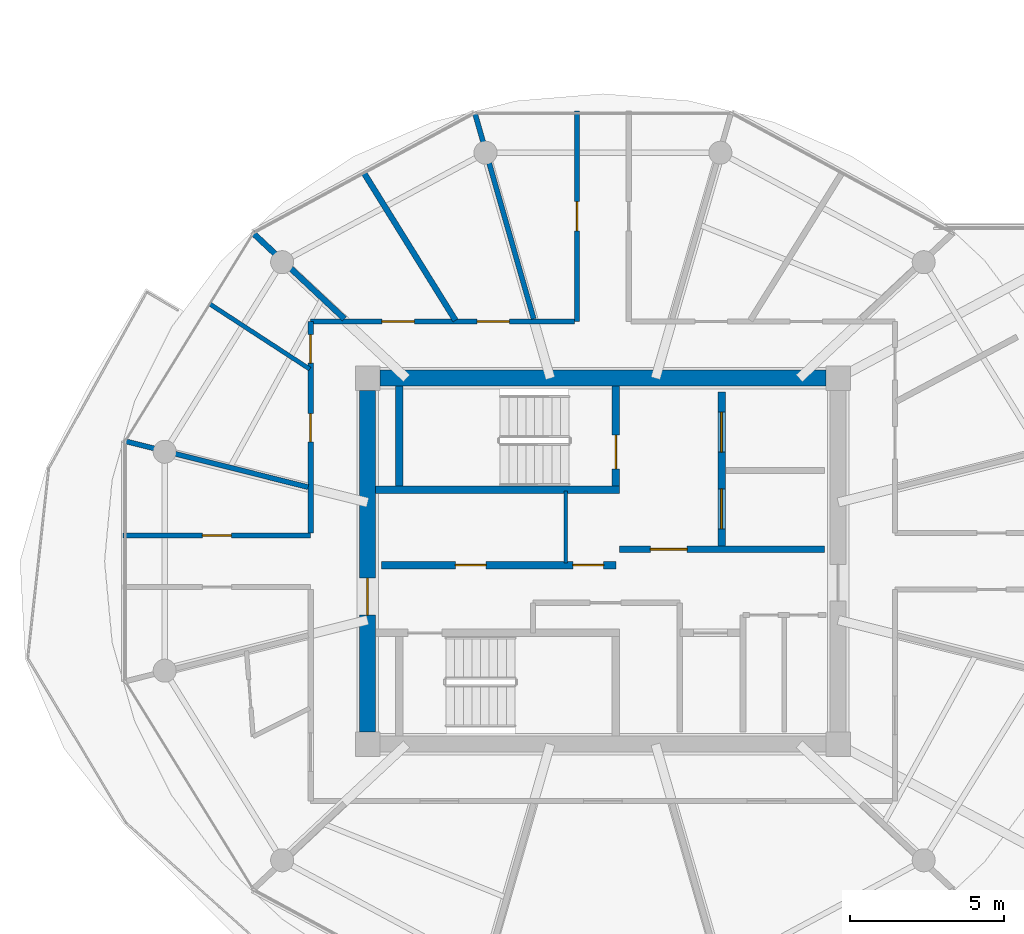
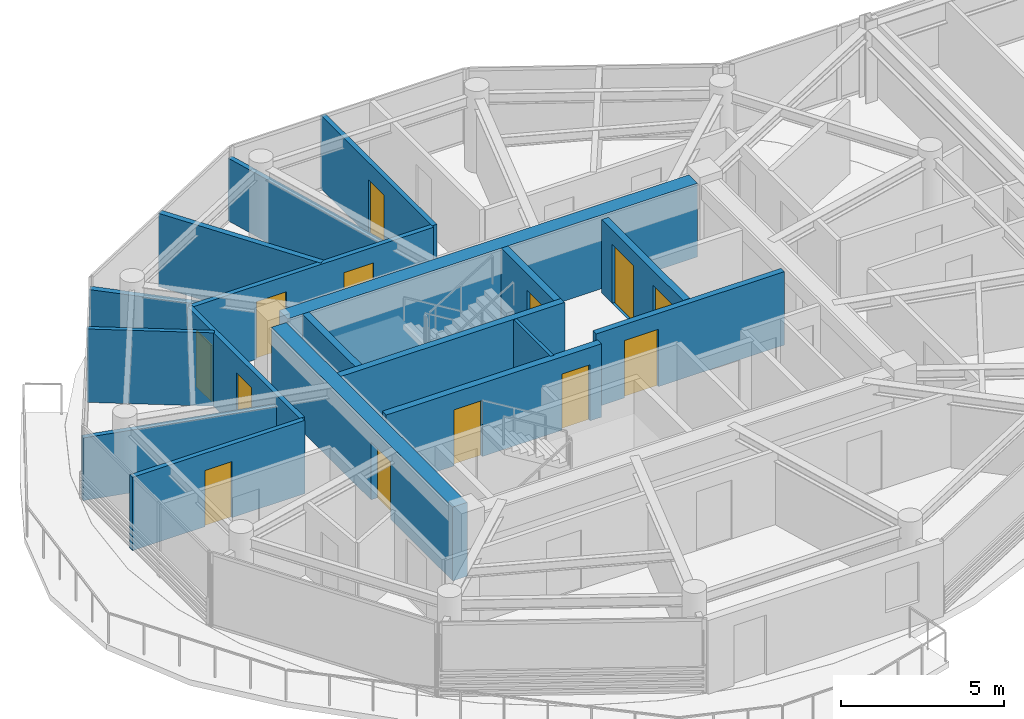
# One storey, part 14 of 24: 18 walls, 13 doors, 13 openings.
"""IFC4 building model written with IfcOpenShell, lengths in metres."""

import ifcopenshell
import ifcopenshell.guid

model = None  # the IFC model being written
_history = None  # IfcOwnerHistory: only IFC2X3 demands one
_inside = {}  # id of a spatial element -> (the spatial element, [elements in it])
_under = {}  # id of a project, library or spatial element -> (it, [spatial elements below it])
_declared = {}  # id of a project -> (the project, [libraries it declares])
_typed = {}  # id of a type object -> (the type object, [elements of that type])
_made_of = {}  # id of a material, layer set ... -> (it, [elements and type objects made of it])


def new_model(schema):
    """Start an empty IFC model of exactly this schema.

    Asked for "IFC4X3", IfcOpenShell would pick the latest addendum, in which some entities
    have other attributes; the version numbers below select the first issue.
    IFC2X3 requires an IfcOwnerHistory on every rooted entity: one is made here for all.
    """
    global model, _history
    if schema == "IFC4X3":
        model = ifcopenshell.file(schema_version=(4, 3, 0, 0))
    else:
        model = ifcopenshell.file(schema=schema)
    _inside.clear()
    _under.clear()
    _declared.clear()
    _typed.clear()
    _made_of.clear()
    _history = None
    if model.schema == "IFC2X3":
        org = make("IfcOrganization", Name="unknown")
        user = make(
            "IfcPersonAndOrganization",
            ThePerson=make("IfcPerson", FamilyName="unknown"),
            TheOrganization=org,
        )
        app = make(
            "IfcApplication",
            ApplicationDeveloper=org,
            Version="unknown",
            ApplicationFullName="unknown",
            ApplicationIdentifier="unknown",
        )
        _history = make(
            "IfcOwnerHistory",
            OwningUser=user,
            OwningApplication=app,
            ChangeAction="ADDED",
            CreationDate=0,
        )
    return model


def make(cls, **values):
    """One entity of the class cls with the attributes given. An attribute that is None is left unset."""
    return model.create_entity(
        cls, **{name: value for name, value in values.items() if value is not None}
    )


def rooted(cls, **values):
    """An entity with a GlobalId (a new one), such as an element, a storey or a relation."""
    return make(cls, GlobalId=ifcopenshell.guid.new(), OwnerHistory=_history, **values)


def si_unit(unit_type, name, prefix=None):
    """IfcSIUnit, for example si_unit("LENGTHUNIT", "METRE", prefix="MILLI")."""
    return make("IfcSIUnit", UnitType=unit_type, Prefix=prefix, Name=name)


def assignment(units):
    """IfcUnitAssignment: the units of a project."""
    return None if units is None else make("IfcUnitAssignment", Units=units)


def point(xyz):
    """IfcCartesianPoint."""
    return None if xyz is None else make("IfcCartesianPoint", Coordinates=xyz)


def direction(xyz):
    """IfcDirection."""
    return None if xyz is None else make("IfcDirection", DirectionRatios=xyz)


def frame(location, z_axis=None, x_axis=None):
    """IfcAxis2Placement3D, a coordinate frame: its origin and axes. An axis left out is left unset."""
    return make(
        "IfcAxis2Placement3D",
        Location=point(location),
        Axis=direction(z_axis),
        RefDirection=direction(x_axis),
    )


def frame_2d(location, x_axis=None):
    """IfcAxis2Placement2D, a coordinate frame in the plane: its origin and x axis."""
    return make(
        "IfcAxis2Placement2D", Location=point(location), RefDirection=direction(x_axis)
    )


def origin():
    """The frame at (0, 0, 0) with its axes left unset."""
    return frame((0.0, 0.0, 0.0))


def place(relative_to, where):
    """IfcLocalPlacement: puts the frame where relative to a parent placement (None: the world)."""
    return make(
        "IfcLocalPlacement", PlacementRelTo=relative_to, RelativePlacement=where
    )


def context(
    kind, dimensions, precision=None, world=None, true_north=None, identifier=None
):
    """IfcGeometricRepresentationContext, for example the 3D "Model" context."""
    return make(
        "IfcGeometricRepresentationContext",
        ContextIdentifier=identifier,
        ContextType=kind,
        CoordinateSpaceDimension=dimensions,
        Precision=precision,
        WorldCoordinateSystem=world,
        TrueNorth=true_north,
    )


def subcontext(parent, identifier, kind, view, scale=None):
    """IfcGeometricRepresentationSubContext, for example "Body" below "Model"."""
    return make(
        "IfcGeometricRepresentationSubContext",
        ContextIdentifier=identifier,
        ContextType=kind,
        ParentContext=parent,
        TargetScale=scale,
        TargetView=view,
    )


def project(units=None, contexts=None):
    """IfcProject with its units and contexts."""
    return rooted(
        "IfcProject",
        Name="project",
        RepresentationContexts=contexts,
        UnitsInContext=assignment(units),
    )


def spatial(cls, under=None, at=None, **own):
    """A site, building, storey or space (cls), placed at a placement, below another one or the project."""
    s = rooted(cls, ObjectPlacement=at, **own)
    if under is not None:
        _under.setdefault(under.id(), (under, []))[1].append(s)
    return s


def profile(cls, at=None, kind="AREA", **sizes):
    """A parametric profile (cls). Its sizes go by their IFC names, for example OverallWidth=200.0."""
    return make(cls, ProfileType=kind, Position=at, **sizes)


def rectangle(**sizes):
    """IfcRectangleProfileDef."""
    return profile("IfcRectangleProfileDef", **sizes)


def extrude(swept, where, along, depth):
    """IfcExtrudedAreaSolid: the profile swept, set in the frame where, extruded along a direction by depth."""
    return make(
        "IfcExtrudedAreaSolid",
        SweptArea=swept,
        Position=where,
        ExtrudedDirection=direction(along),
        Depth=depth,
    )


def shape(context_of_items, identifier, shape_type, items):
    """IfcShapeRepresentation: the items that make up one representation, for example the "Body"."""
    return make(
        "IfcShapeRepresentation",
        ContextOfItems=context_of_items,
        RepresentationIdentifier=identifier,
        RepresentationType=shape_type,
        Items=items,
    )


def source(mapping_origin, context_of_items, identifier, shape_type, items):
    """IfcRepresentationMap: a shape defined once, which mapped items show again and again."""
    return make(
        "IfcRepresentationMap",
        MappingOrigin=mapping_origin,
        MappedRepresentation=shape(context_of_items, identifier, shape_type, items),
    )


def transform(
    local_origin,
    x_axis=None,
    y_axis=None,
    z_axis=None,
    scale=None,
    scale2=None,
    scale3=None,
    uniform=True,
):
    """IfcCartesianTransformationOperator3D, or its non-uniform kind. x_axis, y_axis, z_axis: its Axis1, 2, 3."""
    if uniform:
        return make(
            "IfcCartesianTransformationOperator3D",
            Axis1=direction(x_axis),
            Axis2=direction(y_axis),
            LocalOrigin=point(local_origin),
            Scale=scale,
            Axis3=direction(z_axis),
        )
    return make(
        "IfcCartesianTransformationOperator3DnonUniform",
        Axis1=direction(x_axis),
        Axis2=direction(y_axis),
        LocalOrigin=point(local_origin),
        Scale=scale,
        Axis3=direction(z_axis),
        Scale2=scale2,
        Scale3=scale3,
    )


def mapped(mapping_source, mapping_target):
    """IfcMappedItem: shows the shape of a source again, moved by a transform."""
    return make(
        "IfcMappedItem", MappingSource=mapping_source, MappingTarget=mapping_target
    )


def material(Name=None, Category=None):
    """IfcMaterial."""
    return make("IfcMaterial", Name=Name, Category=Category)


def layer(
    of_material, thickness, ventilated=None, Name=None, Category=None, Priority=None
):
    """IfcMaterialLayer: one layer of a wall or slab, of a material (None: an air gap)."""
    return make(
        "IfcMaterialLayer",
        Material=of_material,
        LayerThickness=thickness,
        IsVentilated=ventilated,
        Name=Name,
        Category=Category,
        Priority=Priority,
    )


def layer_set(layers, Name=None):
    """IfcMaterialLayerSet."""
    return make("IfcMaterialLayerSet", MaterialLayers=layers, LayerSetName=Name)


def made_of(thing, what):
    """Note that an element or type object is made of a material, layer set ...; save() writes the relation."""
    if what is not None:
        _made_of.setdefault(what.id(), (what, []))[1].append(thing)
    return thing


def type_object(cls, material=None, **own):
    """A type object (cls), such as IfcWallType, which elements share."""
    return made_of(rooted(cls, **own), material)


def type_shapes(of_type, sources):
    """Give a type object the sources (RepresentationMaps) that its elements show as mapped items."""
    of_type.RepresentationMaps = sources


def element(
    cls,
    number,
    at=None,
    inside=None,
    cuts=None,
    type_object=None,
    material=None,
    context=None,
    identifier="Body",
    shape_type=None,
    held_by="IfcProductDefinitionShape",
    body=None,
    shapes=None,
    **own,
):
    """One element of the class cls, such as IfcWall. Its Tag is "e" and its number.

    at: its placement. inside: the storey or other place that contains it. cuts: it is an
    opening in that element (IfcRelVoidsElement). A single representation is given by context,
    identifier, shape_type and body (its items); several are given by shapes. held_by: the class
    of the entity that holds the representations. save() writes the other relations.
    """
    e = rooted(cls, Tag="e%d" % number, ObjectPlacement=at, **own)
    if body is not None:
        shapes = [shape(context, identifier, shape_type, body)]
    if shapes is not None:
        e.Representation = make(held_by, Representations=shapes)
    if inside is not None:
        _inside.setdefault(inside.id(), (inside, []))[1].append(e)
    if cuts is not None:
        rooted(
            "IfcRelVoidsElement", RelatingBuildingElement=cuts, RelatedOpeningElement=e
        )
    if type_object is not None:
        _typed.setdefault(type_object.id(), (type_object, []))[1].append(e)
    return made_of(e, material)


def fill(opening, filler):
    """IfcRelFillsElement: the door or window that sits in an opening."""
    return rooted(
        "IfcRelFillsElement",
        RelatingOpeningElement=opening,
        RelatedBuildingElement=filler,
    )


def aggregate(whole, parts):
    """IfcRelAggregates: a whole, such as a stair, and the parts it consists of."""
    return rooted("IfcRelAggregates", RelatingObject=whole, RelatedObjects=parts)


def save(model, path):
    """Write the relations noted so far, then the file.

    IfcRelAggregates (storeys below a building ...), IfcRelContainedInSpatialStructure (elements
    in a storey), IfcRelDefinesByType, IfcRelAssociatesMaterial and IfcRelDeclares: one each for
    every whole, place, type object, material and project.
    """
    for whole, parts in _under.values():
        aggregate(whole, parts)
    for where, things in _inside.values():
        rooted(
            "IfcRelContainedInSpatialStructure",
            RelatedElements=things,
            RelatingStructure=where,
        )
    for kind, things in _typed.values():
        rooted("IfcRelDefinesByType", RelatedObjects=things, RelatingType=kind)
    for what, things in _made_of.values():
        rooted("IfcRelAssociatesMaterial", RelatedObjects=things, RelatingMaterial=what)
    for by, libraries in _declared.values():
        rooted("IfcRelDeclares", RelatingContext=by, RelatedDefinitions=libraries)
    model.write(path)


model = new_model("IFC4")

# Units and contexts
model_context = context("Model", 3, precision=1e-05, world=origin(), true_north=direction((0.0, 1.0)))
body_context = subcontext(model_context, "Body", "Model", "MODEL_VIEW")
ifc_project = project(units=[si_unit("LENGTHUNIT", "METRE"), si_unit("AREAUNIT", "SQUARE_METRE"), si_unit("VOLUMEUNIT", "CUBIC_METRE"), si_unit("PLANEANGLEUNIT", "RADIAN"), si_unit("MASSUNIT", "GRAM", prefix="KILO")], contexts=[model_context])

# Site, building, storey
site_placement = place(None, origin())
site = spatial("IfcSite", under=ifc_project, at=site_placement, CompositionType="ELEMENT")
building_placement = place(site_placement, origin())
building = spatial("IfcBuilding", under=site, at=building_placement, Name="Norrkilde Senior Care Towers", CompositionType="ELEMENT")
storey_placement = place(building_placement, frame((0.0, 0.0, 223.050048828125)))
storey = spatial("IfcBuildingStorey", under=building, at=storey_placement, Name="L69", CompositionType="ELEMENT", Elevation=223.050048828125)

# Wall
ifc_material_1 = material(Name="Concrete C50/60", Category="concrete")
ifc_layer_1 = layer(ifc_material_1, 0.52001953125)
ifc_layer_set_1 = layer_set([ifc_layer_1], Name="Concrete C50/60")
wall_type_1 = type_object("IfcWallType", Name="Core Shear Wall Z4 520", PredefinedType="SHEAR", material=ifc_layer_set_1)
shared_shape_1 = source(origin(), body_context, "Body", "SweptSolid", [
    extrude(rectangle(XDim=14.5, YDim=0.52001953125, at=frame_2d((7.25, 0.0))), origin(), (0.0, 0.0, 1.0), 2.760009765625),
])
wall_1_placement = place(storey_placement, frame((-35.25, 5.949951171875, 0.0), z_axis=(0.0, 0.0, 1.0), x_axis=(1.0, 0.0, 0.0)))
element("IfcWall", 1, at=wall_1_placement, inside=storey, type_object=wall_type_1, Name="L69 Core W North Shear Wall", PredefinedType="SHEAR", context=body_context, shape_type="MappedRepresentation", body=[
    mapped(shared_shape_1, transform((0.0, 0.0, 0.0), x_axis=(1.0, 0.0, 0.0), y_axis=(0.0, 1.0, 0.0), z_axis=(0.0, 0.0, 1.0), scale=1.0)),
])

# Wall, opening, door
shared_shape_2 = source(origin(), body_context, "Body", "SweptSolid", [
    extrude(rectangle(XDim=11.10009765625, YDim=0.52001953125, at=frame_2d((5.550048828125, 0.0))), origin(), (0.0, 0.0, 1.0), 2.760009765625),
])
type_shapes(wall_type_1, [shared_shape_1, shared_shape_2])
wall_2_placement = place(storey_placement, frame((-35.64990234375, -5.550048828125, 0.0), z_axis=(0.0, 0.0, 1.0), x_axis=(0.0, 1.0, 0.0)))
wall_2 = element("IfcWall", 2, at=wall_2_placement, inside=storey, type_object=wall_type_1, Name="L69 Core W West Shear Wall", PredefinedType="SHEAR", context=body_context, shape_type="MappedRepresentation", body=[
    mapped(shared_shape_2, transform((0.0, 0.0, 0.0), x_axis=(1.0, 0.0, 0.0), y_axis=(0.0, 1.0, 0.0), z_axis=(0.0, 0.0, 1.0), scale=1.0)),
])
opening_1_placement = place(wall_2_placement, frame((3.800048828125, 0.0, 0.0)))
opening_1 = element("IfcOpeningElement", 3, at=opening_1_placement, cuts=wall_2, Name="Opening D-04", PredefinedType="OPENING", context=body_context, shape_type="SweptSolid", body=[
    extrude(rectangle(XDim=1.199951171875, YDim=2.14990234375, at=frame_2d((0.60009765625, 1.074951171875))), frame((0.0, 0.27001953125, 0.0), z_axis=(0.0, -1.0, 0.0), x_axis=(1.0, 0.0, 0.0)), (0.0, 0.0, 1.0), 0.5400390625),
])
ifc_material_2 = material(Name="Galvanised Painted Steel", Category="steel")
door_type_1 = type_object("IfcDoorType", Name="Firefighting Lobby Fire Door 1200x2150", OperationType="NOTDEFINED", PredefinedType="DOOR", material=ifc_material_2)
shared_shape_3 = source(origin(), body_context, "Body", "SweptSolid", [
    extrude(rectangle(XDim=1.199951171875, YDim=2.14990234375, at=frame_2d((0.60009765625, 1.074951171875))), frame((0.0, 0.02490234375, 0.0), z_axis=(0.0, -1.0, 0.0), x_axis=(1.0, 0.0, 0.0)), (0.0, 0.0, 1.0), 0.050048828125),
])
type_shapes(door_type_1, [shared_shape_3])
door_1_placement = place(opening_1_placement, frame((1.199951171875, 0.0, 0.0), z_axis=(0.0, 0.0, 1.0), x_axis=(-1.0, 0.0, 0.0)))
door_1 = element("IfcDoor", 4, at=door_1_placement, inside=storey, type_object=door_type_1, Name="L69 Core W West Portal Door", OperationType="SINGLE_SWING_LEFT", OverallHeight=2.14990234375, OverallWidth=1.199951171875, PredefinedType="DOOR", context=body_context, shape_type="MappedRepresentation", body=[
    mapped(shared_shape_3, transform((0.0, 0.0, 0.0), x_axis=(1.0, 0.0, 0.0), y_axis=(0.0, 1.0, 0.0), z_axis=(0.0, 0.0, 1.0), scale=1.0)),
])
fill(opening_1, door_1)

# Walls
ifc_material_3 = material(Name="Concrete C45/55", Category="concrete")
ifc_layer_2 = layer(ifc_material_3, 0.239990234375)
ifc_layer_set_2 = layer_set([ifc_layer_2], Name="Concrete C45/55")
wall_type_2 = type_object("IfcWallType", Name="Shaft and Stair Enclosure Wall 240", PredefinedType="PARTITIONING", material=ifc_layer_set_2)
shared_shape_4 = source(origin(), body_context, "Body", "SweptSolid", [
    extrude(rectangle(XDim=7.929931640625, YDim=0.239990234375, at=frame_2d((3.96484375, 0.0))), origin(), (0.0, 0.0, 1.0), 2.760009765625),
])
wall_3_placement = place(storey_placement, frame((-35.389892578125, 2.330078125, 0.0), z_axis=(0.0, 0.0, 1.0), x_axis=(1.0, 0.0, 0.0)))
element("IfcWall", 5, at=wall_3_placement, inside=storey, type_object=wall_type_2, Name="WL-INT-L69-W-ST1S", PredefinedType="PARTITIONING", context=body_context, shape_type="MappedRepresentation", body=[
    mapped(shared_shape_4, transform((0.0, 0.0, 0.0), x_axis=(1.0, 0.0, 0.0), y_axis=(0.0, 1.0, 0.0), z_axis=(0.0, 0.0, 1.0), scale=1.0)),
])
shared_shape_5 = source(origin(), body_context, "Body", "SweptSolid", [
    extrude(rectangle(XDim=3.239990234375, YDim=0.239990234375, at=frame_2d((1.6201171875, 0.0))), origin(), (0.0, 0.0, 1.0), 2.760009765625),
])
type_shapes(wall_type_2, [shared_shape_4, shared_shape_5])
wall_4_placement = place(storey_placement, frame((-34.6201171875, 2.449951171875, 0.0), z_axis=(0.0, 0.0, 1.0), x_axis=(0.0, 1.0, 0.0)))
element("IfcWall", 6, at=wall_4_placement, inside=storey, type_object=wall_type_2, Name="WL-INT-L69-W-ST1W", PredefinedType="PARTITIONING", context=body_context, shape_type="MappedRepresentation", body=[
    mapped(shared_shape_5, transform((0.0, 0.0, 0.0), x_axis=(1.0, 0.0, 0.0), y_axis=(0.0, 1.0, 0.0), z_axis=(0.0, 0.0, 1.0), scale=1.0)),
])

# Wall, opening, door
wall_5_placement = place(storey_placement, frame((-27.580078125, 2.449951171875, 0.0), z_axis=(0.0, 0.0, 1.0), x_axis=(0.0, 1.0, 0.0)))
wall_5 = element("IfcWall", 7, at=wall_5_placement, inside=storey, type_object=wall_type_2, Name="WL-INT-L69-W-ST1E", PredefinedType="PARTITIONING", context=body_context, shape_type="MappedRepresentation", body=[
    mapped(shared_shape_5, transform((0.0, 0.0, 0.0), x_axis=(1.0, 0.0, 0.0), y_axis=(0.0, 1.0, 0.0), z_axis=(0.0, 0.0, 1.0), scale=1.0)),
])
opening_2_placement = place(wall_5_placement, frame((0.550048828125, 0.0, 0.0)))
opening_2 = element("IfcOpeningElement", 8, at=opening_2_placement, cuts=wall_5, Name="Opening D-03", PredefinedType="OPENING", context=body_context, shape_type="SweptSolid", body=[
    extrude(rectangle(XDim=1.10009765625, YDim=2.14990234375, at=frame_2d((0.550048828125, 1.074951171875))), frame((0.0, 0.1298828125, 0.0), z_axis=(0.0, -1.0, 0.0), x_axis=(1.0, 0.0, 0.0)), (0.0, 0.0, 1.0), 0.260009765625),
])
door_type_2 = type_object("IfcDoorType", Name="Stairwell Protected Fire Door 1100x2150", OperationType="NOTDEFINED", PredefinedType="DOOR", material=ifc_material_2)
shared_shape_6 = source(origin(), body_context, "Body", "SweptSolid", [
    extrude(rectangle(XDim=1.10009765625, YDim=2.14990234375, at=frame_2d((0.550048828125, 1.074951171875))), frame((0.0, 0.02490234375, 0.0), z_axis=(0.0, -1.0, 0.0), x_axis=(1.0, 0.0, 0.0)), (0.0, 0.0, 1.0), 0.050048828125),
])
type_shapes(door_type_2, [shared_shape_6])
door_2_placement = place(opening_2_placement, origin())
door_2 = element("IfcDoor", 9, at=door_2_placement, inside=storey, type_object=door_type_2, Name="L69 Stair W1 Fire Door", OperationType="SINGLE_SWING_LEFT", OverallHeight=2.14990234375, OverallWidth=1.10009765625, PredefinedType="DOOR", context=body_context, shape_type="MappedRepresentation", body=[
    mapped(shared_shape_6, transform((0.0, 0.0, 0.0), x_axis=(1.0, 0.0, 0.0), y_axis=(0.0, 1.0, 0.0), z_axis=(0.0, 0.0, 1.0), scale=1.0)),
])
fill(opening_2, door_2)

# Walls
ifc_material_4 = material(Name="Gypsum Acoustic Board")
ifc_layer_3 = layer(ifc_material_4, 0.1650390625)
ifc_layer_set_3 = layer_set([ifc_layer_3], Name="Gypsum Acoustic Board")
wall_type_3 = type_object("IfcWallType", Name="Corridor Rated Partition 165", PredefinedType="PARTITIONING", material=ifc_layer_set_3)
shared_shape_7 = source(origin(), body_context, "Body", "SweptSolid", [
    extrude(rectangle(XDim=6.973876953125, YDim=0.1650390625, at=frame_2d((3.48681640625, 0.0))), origin(), (0.0, 0.0, 1.0), 2.344970703125),
])
wall_6_placement = place(storey_placement, frame((-30.251220703125, 7.8798828125, 0.0), z_axis=(0.0, 0.0, 1.0), x_axis=(-0.274707256801, 0.961527910703, 0.0)))
element("IfcWall", 10, at=wall_6_placement, inside=storey, type_object=wall_type_3, Name="WL-INT-L69-W-DEM-03-0", PredefinedType="PARTITIONING", context=body_context, shape_type="MappedRepresentation", body=[
    mapped(shared_shape_7, transform((0.0, 0.0, 0.0), x_axis=(1.0, 0.0, 0.0), y_axis=(0.0, 1.0, 0.0), z_axis=(0.0, 0.0, 1.0), scale=1.0)),
])
shared_shape_8 = source(origin(), body_context, "Body", "SweptSolid", [
    extrude(rectangle(XDim=6.1572265625, YDim=0.1650390625, at=frame_2d((3.07861328125, 0.0))), origin(), (0.0, 0.0, 1.0), 2.344970703125),
])
wall_7_placement = place(storey_placement, frame((-37.580078125, 2.407470703125, 0.0), z_axis=(0.0, 0.0, 1.0), x_axis=(-0.969840867184, 0.243738984038, 0.0)))
element("IfcWall", 11, at=wall_7_placement, inside=storey, type_object=wall_type_3, Name="WL-INT-L69-W-DEM-05-0", PredefinedType="PARTITIONING", context=body_context, shape_type="MappedRepresentation", body=[
    mapped(shared_shape_8, transform((0.0, 0.0, 0.0), x_axis=(1.0, 0.0, 0.0), y_axis=(0.0, 1.0, 0.0), z_axis=(0.0, 0.0, 1.0), scale=1.0)),
])
ifc_layer_4 = layer(ifc_material_4, 0.18994140625)
ifc_layer_set_4 = layer_set([ifc_layer_4], Name="Gypsum Acoustic Board")
wall_type_4 = type_object("IfcWallType", Name="Unit Demising Acoustic Wall 190", PredefinedType="PARTITIONING", material=ifc_layer_set_4)
shared_shape_9 = source(origin(), body_context, "Body", "SweptSolid", [
    extrude(rectangle(XDim=4.089111328125, YDim=0.18994140625, at=frame_2d((2.04443359375, 0.0))), origin(), (0.0, 0.0, 1.0), 2.344970703125),
])
wall_8_placement = place(storey_placement, frame((-36.40185546875, 7.8798828125, 0.0), z_axis=(0.0, 0.0, 1.0), x_axis=(-0.729401273609, 0.684086092577, 0.0)))
element("IfcWall", 12, at=wall_8_placement, inside=storey, type_object=wall_type_4, Name="WL-INT-L69-W-DEM-04-0", PredefinedType="PARTITIONING", context=body_context, shape_type="MappedRepresentation", body=[
    mapped(shared_shape_9, transform((0.0, 0.0, 0.0), x_axis=(1.0, 0.0, 0.0), y_axis=(0.0, 1.0, 0.0), z_axis=(0.0, 0.0, 1.0), scale=1.0)),
])

# Wall, openings, doors
ifc_layer_5 = layer(ifc_material_3, 0.239990234375)
ifc_layer_set_5 = layer_set([ifc_layer_5], Name="Concrete C45/55")
wall_type_5 = type_object("IfcWallType", Name="Lift and Plant Rated Enclosure Partition 240", PredefinedType="PARTITIONING", material=ifc_layer_set_5)
shared_shape_10 = source(origin(), body_context, "Body", "SweptSolid", [
    extrude(rectangle(XDim=5.0, YDim=0.239990234375, at=frame_2d((2.5, 0.0))), origin(), (0.0, 0.0, 1.0), 2.744873046875),
])
wall_9_placement = place(storey_placement, frame((-24.139892578125, 0.5, 0.0), z_axis=(0.0, 0.0, 1.0), x_axis=(0.0, 1.0, 0.0)))
wall_9 = element("IfcWall", 13, at=wall_9_placement, inside=storey, type_object=wall_type_5, Name="WL-INT-L69-W-FFLE", PredefinedType="PARTITIONING", context=body_context, shape_type="MappedRepresentation", body=[
    mapped(shared_shape_10, transform((0.0, 0.0, 0.0), x_axis=(1.0, 0.0, 0.0), y_axis=(0.0, 1.0, 0.0), z_axis=(0.0, 0.0, 1.0), scale=1.0)),
])
opening_3_placement = place(wall_9_placement, frame((3.050048828125, 0.0, 0.0)))
opening_3 = element("IfcOpeningElement", 14, at=opening_3_placement, cuts=wall_9, Name="Opening LD-02", PredefinedType="OPENING", context=body_context, shape_type="SweptSolid", body=[
    extrude(rectangle(XDim=1.300048828125, YDim=2.199951171875, at=frame_2d((0.64990234375, 1.10009765625))), frame((0.0, 0.1298828125, 0.0), z_axis=(0.0, -1.0, 0.0), x_axis=(1.0, 0.0, 0.0)), (0.0, 0.0, 1.0), 0.260009765625),
])
opening_4_placement = place(wall_9_placement, frame((0.550048828125, 0.0, 0.0)))
opening_4 = element("IfcOpeningElement", 15, at=opening_4_placement, cuts=wall_9, Name="Opening LD-02", PredefinedType="OPENING", context=body_context, shape_type="SweptSolid", body=[
    extrude(rectangle(XDim=1.300048828125, YDim=2.199951171875, at=frame_2d((0.64990234375, 1.10009765625))), frame((0.0, 0.1298828125, 0.0), z_axis=(0.0, -1.0, 0.0), x_axis=(1.0, 0.0, 0.0)), (0.0, 0.0, 1.0), 0.260009765625),
])
ifc_material_5 = material(Name="Stainless Steel", Category="steel")
door_type_3 = type_object("IfcDoorType", Name="Stretcher and FFL Landing Sliding Door 1300x2200", OperationType="NOTDEFINED", PredefinedType="DOOR", material=ifc_material_5)
shared_shape_11 = source(origin(), body_context, "Body", "SweptSolid", [
    extrude(rectangle(XDim=1.300048828125, YDim=2.199951171875, at=frame_2d((0.64990234375, 1.10009765625))), frame((0.0, 0.02490234375, 0.0), z_axis=(0.0, -1.0, 0.0), x_axis=(1.0, 0.0, 0.0)), (0.0, 0.0, 1.0), 0.050048828125),
])
type_shapes(door_type_3, [shared_shape_11])
door_3_placement = place(opening_3_placement, origin())
door_3 = element("IfcDoor", 16, at=door_3_placement, inside=storey, type_object=door_type_3, Name="L69 Firefighting Lift W1 Landing Door", OperationType="SLIDING_TO_LEFT", OverallHeight=2.199951171875, OverallWidth=1.300048828125, PredefinedType="DOOR", context=body_context, shape_type="MappedRepresentation", body=[
    mapped(shared_shape_11, transform((0.0, 0.0, 0.0), x_axis=(1.0, 0.0, 0.0), y_axis=(0.0, 1.0, 0.0), z_axis=(0.0, 0.0, 1.0), scale=1.0)),
])
fill(opening_3, door_3)
door_4_placement = place(opening_4_placement, origin())
door_4 = element("IfcDoor", 17, at=door_4_placement, inside=storey, type_object=door_type_3, Name="L69 Stretcher Lift W1 Landing Door", OperationType="SLIDING_TO_RIGHT", OverallHeight=2.199951171875, OverallWidth=1.300048828125, PredefinedType="DOOR", context=body_context, shape_type="MappedRepresentation", body=[
    mapped(shared_shape_11, transform((0.0, 0.0, 0.0), x_axis=(1.0, 0.0, 0.0), y_axis=(0.0, 1.0, 0.0), z_axis=(0.0, 0.0, 1.0), scale=1.0)),
])
fill(opening_4, door_4)

# Wall, opening, door
ifc_layer_6 = layer(ifc_material_3, 0.2099609375)
ifc_layer_set_6 = layer_set([ifc_layer_6], Name="Concrete C45/55")
wall_type_6 = type_object("IfcWallType", Name="Firefighting Lobby Wall 210", PredefinedType="PARTITIONING", material=ifc_layer_set_6)
shared_shape_12 = source(origin(), body_context, "Body", "SweptSolid", [
    extrude(rectangle(XDim=6.659912109375, YDim=0.2099609375, at=frame_2d((3.330078125, 0.0))), origin(), (0.0, 0.0, 1.0), 2.744873046875),
])
type_shapes(wall_type_6, [shared_shape_12])
wall_10_placement = place(storey_placement, frame((-27.4599609375, 0.389892578125, 0.0), z_axis=(0.0, 0.0, 1.0), x_axis=(1.0, 0.0, 0.0)))
wall_10 = element("IfcWall", 18, at=wall_10_placement, inside=storey, type_object=wall_type_6, Name="WL-INT-L69-W-FFLS", PredefinedType="PARTITIONING", context=body_context, shape_type="MappedRepresentation", body=[
    mapped(shared_shape_12, transform((0.0, 0.0, 0.0), x_axis=(1.0, 0.0, 0.0), y_axis=(0.0, 1.0, 0.0), z_axis=(0.0, 0.0, 1.0), scale=1.0)),
])
opening_5_placement = place(wall_10_placement, frame((1.0, 0.0, 0.0)))
opening_5 = element("IfcOpeningElement", 19, at=opening_5_placement, cuts=wall_10, Name="Opening D-04", PredefinedType="OPENING", context=body_context, shape_type="SweptSolid", body=[
    extrude(rectangle(XDim=1.199951171875, YDim=2.14990234375, at=frame_2d((0.60009765625, 1.074951171875))), frame((0.0, 0.114990234375, 0.0), z_axis=(0.0, -1.0, 0.0), x_axis=(1.0, 0.0, 0.0)), (0.0, 0.0, 1.0), 0.22998046875),
])
door_5_placement = place(opening_5_placement, frame((1.199951171875, 0.0, 0.0), z_axis=(0.0, 0.0, 1.0), x_axis=(-1.0, 0.0, 0.0)))
door_5 = element("IfcDoor", 20, at=door_5_placement, inside=storey, type_object=door_type_1, Name="L69 Firefighting Lobby W Door", OperationType="SINGLE_SWING_LEFT", OverallHeight=2.14990234375, OverallWidth=1.199951171875, PredefinedType="DOOR", context=body_context, shape_type="MappedRepresentation", body=[
    mapped(shared_shape_3, transform((0.0, 0.0, 0.0), x_axis=(1.0, 0.0, 0.0), y_axis=(0.0, 1.0, 0.0), z_axis=(0.0, 0.0, 1.0), scale=1.0)),
])
fill(opening_5, door_5)

# Wall, openings, doors
shared_shape_13 = source(origin(), body_context, "Body", "SweptSolid", [
    extrude(rectangle(XDim=7.619873046875, YDim=0.239990234375, at=frame_2d((3.81005859375, 0.0))), origin(), (0.0, 0.0, 1.0), 2.744873046875),
])
type_shapes(wall_type_5, [shared_shape_10, shared_shape_13])
wall_11_placement = place(storey_placement, frame((-35.199951171875, -0.1298828125, 0.0), z_axis=(0.0, 0.0, 1.0), x_axis=(1.0, 0.0, 0.0)))
wall_11 = element("IfcWall", 21, at=wall_11_placement, inside=storey, type_object=wall_type_5, Name="WL-INT-L69-W-PKAS", PredefinedType="PARTITIONING", context=body_context, shape_type="MappedRepresentation", body=[
    mapped(shared_shape_13, transform((0.0, 0.0, 0.0), x_axis=(1.0, 0.0, 0.0), y_axis=(0.0, 1.0, 0.0), z_axis=(0.0, 0.0, 1.0), scale=1.0)),
])
opening_6_placement = place(wall_11_placement, frame((6.219970703125, 0.0, 0.0)))
opening_6 = element("IfcOpeningElement", 22, at=opening_6_placement, cuts=wall_11, Name="Opening D-10", PredefinedType="OPENING", context=body_context, shape_type="SweptSolid", body=[
    extrude(rectangle(XDim=1.0, YDim=2.10009765625, at=frame_2d((0.5, 1.050048828125))), frame((0.0, 0.1298828125, 0.0), z_axis=(0.0, -1.0, 0.0), x_axis=(1.0, 0.0, 0.0)), (0.0, 0.0, 1.0), 0.260009765625),
])
opening_7_placement = place(wall_11_placement, frame((2.39990234375, 0.0, 0.0)))
opening_7 = element("IfcOpeningElement", 23, at=opening_7_placement, cuts=wall_11, Name="Opening D-10", PredefinedType="OPENING", context=body_context, shape_type="SweptSolid", body=[
    extrude(rectangle(XDim=1.0, YDim=2.10009765625, at=frame_2d((0.5, 1.050048828125))), frame((0.0, 0.1298828125, 0.0), z_axis=(0.0, -1.0, 0.0), x_axis=(1.0, 0.0, 0.0)), (0.0, 0.0, 1.0), 0.260009765625),
])
door_type_4 = type_object("IfcDoorType", Name="Plant and Riser Rated Door 1000x2100", OperationType="NOTDEFINED", PredefinedType="DOOR", material=ifc_material_2)
shared_shape_14 = source(origin(), body_context, "Body", "SweptSolid", [
    extrude(rectangle(XDim=1.0, YDim=2.10009765625, at=frame_2d((0.5, 1.050048828125))), frame((0.0, 0.02490234375, 0.0), z_axis=(0.0, -1.0, 0.0), x_axis=(1.0, 0.0, 0.0)), (0.0, 0.0, 1.0), 0.050048828125),
])
type_shapes(door_type_4, [shared_shape_14])
door_6_placement = place(opening_6_placement, frame((1.0, 0.0, 0.0), z_axis=(0.0, 0.0, 1.0), x_axis=(-1.0, 0.0, 0.0)))
door_6 = element("IfcDoor", 24, at=door_6_placement, inside=storey, type_object=door_type_4, Name="L69 Electrical Riser W Door", OperationType="SINGLE_SWING_LEFT", OverallHeight=2.10009765625, OverallWidth=1.0, PredefinedType="DOOR", context=body_context, shape_type="MappedRepresentation", body=[
    mapped(shared_shape_14, transform((0.0, 0.0, 0.0), x_axis=(1.0, 0.0, 0.0), y_axis=(0.0, 1.0, 0.0), z_axis=(0.0, 0.0, 1.0), scale=1.0)),
])
fill(opening_6, door_6)
door_7_placement = place(opening_7_placement, frame((1.0, 0.0, 0.0), z_axis=(0.0, 0.0, 1.0), x_axis=(-1.0, 0.0, 0.0)))
door_7 = element("IfcDoor", 25, at=door_7_placement, inside=storey, type_object=door_type_4, Name="L69 Clean Supply Store W Door", OperationType="SINGLE_SWING_LEFT", OverallHeight=2.10009765625, OverallWidth=1.0, PredefinedType="DOOR", context=body_context, shape_type="MappedRepresentation", body=[
    mapped(shared_shape_14, transform((0.0, 0.0, 0.0), x_axis=(1.0, 0.0, 0.0), y_axis=(0.0, 1.0, 0.0), z_axis=(0.0, 0.0, 1.0), scale=1.0)),
])
fill(opening_7, door_7)

# Wall
ifc_layer_7 = layer(ifc_material_4, 0.114990234375)
ifc_layer_set_7 = layer_set([ifc_layer_7], Name="Gypsum Acoustic Board")
wall_type_7 = type_object("IfcWallType", Name="Internal Room Partition 115", PredefinedType="PARTITIONING", material=ifc_layer_set_7)
shared_shape_15 = source(origin(), body_context, "Body", "SweptSolid", [
    extrude(rectangle(XDim=2.330078125, YDim=0.114990234375, at=frame_2d((1.1650390625, 0.0))), origin(), (0.0, 0.0, 1.0), 2.744873046875),
])
type_shapes(wall_type_7, [shared_shape_15])
wall_12_placement = place(storey_placement, frame((-29.2099609375, -0.050048828125, 0.0), z_axis=(0.0, 0.0, 1.0), x_axis=(0.0, 1.0, 0.0)))
element("IfcWall", 26, at=wall_12_placement, inside=storey, type_object=wall_type_7, Name="WL-INT-L69-W-RISW", PredefinedType="PARTITIONING", context=body_context, shape_type="MappedRepresentation", body=[
    mapped(shared_shape_15, transform((0.0, 0.0, 0.0), x_axis=(1.0, 0.0, 0.0), y_axis=(0.0, 1.0, 0.0), z_axis=(0.0, 0.0, 1.0), scale=1.0)),
])

# Wall, openings, doors
shared_shape_16 = source(origin(), body_context, "Body", "SweptSolid", [
    extrude(rectangle(XDim=8.580078125, YDim=0.1650390625, at=frame_2d((4.2900390625, 0.0))), origin(), (0.0, 0.0, 1.0), 2.744873046875),
])
wall_13_placement = place(storey_placement, frame((-37.5, 7.800048828125, 0.0), z_axis=(0.0, 0.0, 1.0), x_axis=(1.0, 0.0, 0.0)))
wall_13 = element("IfcWall", 27, at=wall_13_placement, inside=storey, type_object=wall_type_3, Name="WL-INT-L69-W-CRW-N-0", PredefinedType="PARTITIONING", context=body_context, shape_type="MappedRepresentation", body=[
    mapped(shared_shape_16, transform((0.0, 0.0, 0.0), x_axis=(1.0, 0.0, 0.0), y_axis=(0.0, 1.0, 0.0), z_axis=(0.0, 0.0, 1.0), scale=1.0)),
])
opening_8_placement = place(wall_13_placement, frame((5.40771484375, 0.0, 0.0)))
opening_8 = element("IfcOpeningElement", 28, at=opening_8_placement, cuts=wall_13, Name="Opening D-06", PredefinedType="OPENING", context=body_context, shape_type="SweptSolid", body=[
    extrude(rectangle(XDim=1.050048828125, YDim=2.14990234375, at=frame_2d((0.52490234375, 1.074951171875))), frame((0.0, 0.092529296875, 0.0), z_axis=(0.0, -1.0, 0.0), x_axis=(1.0, 0.0, 0.0)), (0.0, 0.0, 1.0), 0.18505859375),
])
opening_9_placement = place(wall_13_placement, frame((2.316650390625, 0.0, 0.0)))
opening_9 = element("IfcOpeningElement", 29, at=opening_9_placement, cuts=wall_13, Name="Opening D-06", PredefinedType="OPENING", context=body_context, shape_type="SweptSolid", body=[
    extrude(rectangle(XDim=1.050048828125, YDim=2.14990234375, at=frame_2d((0.52490234375, 1.074951171875))), frame((0.0, 0.092529296875, 0.0), z_axis=(0.0, -1.0, 0.0), x_axis=(1.0, 0.0, 0.0)), (0.0, 0.0, 1.0), 0.18505859375),
])
ifc_material_6 = material(Name="Nordic Ash Timber", Category="wood")
door_type_5 = type_object("IfcDoorType", Name="Apartment Entrance Fire Door 1050x2150", OperationType="NOTDEFINED", PredefinedType="DOOR", material=ifc_material_6)
shared_shape_17 = source(origin(), body_context, "Body", "SweptSolid", [
    extrude(rectangle(XDim=1.050048828125, YDim=2.14990234375, at=frame_2d((0.52490234375, 1.074951171875))), frame((0.0, 0.02490234375, 0.0), z_axis=(0.0, -1.0, 0.0), x_axis=(1.0, 0.0, 0.0)), (0.0, 0.0, 1.0), 0.050048828125),
])
type_shapes(door_type_5, [shared_shape_17])
door_8_placement = place(opening_8_placement, frame((1.050048828125, 0.0, 0.0), z_axis=(0.0, 0.0, 1.0), x_axis=(-1.0, 0.0, 0.0)))
door_8 = element("IfcDoor", 30, at=door_8_placement, inside=storey, type_object=door_type_5, Name="L69 Physiotherapy Clinic 3A Door", OperationType="SINGLE_SWING_RIGHT", OverallHeight=2.14990234375, OverallWidth=1.050048828125, PredefinedType="DOOR", context=body_context, shape_type="MappedRepresentation", body=[
    mapped(shared_shape_17, transform((0.0, 0.0, 0.0), x_axis=(1.0, 0.0, 0.0), y_axis=(0.0, 1.0, 0.0), z_axis=(0.0, 0.0, 1.0), scale=1.0)),
])
fill(opening_8, door_8)
door_9_placement = place(opening_9_placement, frame((1.050048828125, 0.0, 0.0), z_axis=(0.0, 0.0, 1.0), x_axis=(-1.0, 0.0, 0.0)))
door_9 = element("IfcDoor", 31, at=door_9_placement, inside=storey, type_object=door_type_5, Name="L69 Assessment Clinic 3B Door", OperationType="SINGLE_SWING_LEFT", OverallHeight=2.14990234375, OverallWidth=1.050048828125, PredefinedType="DOOR", context=body_context, shape_type="MappedRepresentation", body=[
    mapped(shared_shape_17, transform((0.0, 0.0, 0.0), x_axis=(1.0, 0.0, 0.0), y_axis=(0.0, 1.0, 0.0), z_axis=(0.0, 0.0, 1.0), scale=1.0)),
])
fill(opening_9, door_9)

shared_shape_18 = source(origin(), body_context, "Body", "SweptSolid", [
    extrude(rectangle(XDim=6.880126953125, YDim=0.1650390625, at=frame_2d((3.43994140625, 0.0))), origin(), (0.0, 0.0, 1.0), 2.744873046875),
])
wall_14_placement = place(storey_placement, frame((-37.5, 0.919921875, 0.0), z_axis=(0.0, 0.0, 1.0), x_axis=(0.0, 1.0, 0.0)))
wall_14 = element("IfcWall", 32, at=wall_14_placement, inside=storey, type_object=wall_type_3, Name="WL-INT-L69-W-CRW-W-1", PredefinedType="PARTITIONING", context=body_context, shape_type="MappedRepresentation", body=[
    mapped(shared_shape_18, transform((0.0, 0.0, 0.0), x_axis=(1.0, 0.0, 0.0), y_axis=(0.0, 1.0, 0.0), z_axis=(0.0, 0.0, 1.0), scale=1.0)),
])
opening_10_placement = place(wall_14_placement, frame((5.525146484375, 0.0, 0.0)))
opening_10 = element("IfcOpeningElement", 33, at=opening_10_placement, cuts=wall_14, Name="Opening D-08", PredefinedType="OPENING", context=body_context, shape_type="SweptSolid", body=[
    extrude(rectangle(XDim=0.919921875, YDim=2.10009765625, at=frame_2d((0.4599609375, 1.050048828125))), frame((0.0, 0.092529296875, 0.0), z_axis=(0.0, -1.0, 0.0), x_axis=(1.0, 0.0, 0.0)), (0.0, 0.0, 1.0), 0.18505859375),
])
opening_11_placement = place(wall_14_placement, frame((2.96240234375, 0.0, 0.0)))
opening_11 = element("IfcOpeningElement", 34, at=opening_11_placement, cuts=wall_14, Name="Opening D-08", PredefinedType="OPENING", context=body_context, shape_type="SweptSolid", body=[
    extrude(rectangle(XDim=0.919921875, YDim=2.10009765625, at=frame_2d((0.4599609375, 1.050048828125))), frame((0.0, 0.092529296875, 0.0), z_axis=(0.0, -1.0, 0.0), x_axis=(1.0, 0.0, 0.0)), (0.0, 0.0, 1.0), 0.18505859375),
])
door_type_6 = type_object("IfcDoorType", Name="Accessible Wet Room Door 920x2100", OperationType="NOTDEFINED", PredefinedType="DOOR", material=ifc_material_6)
shared_shape_19 = source(origin(), body_context, "Body", "SweptSolid", [
    extrude(rectangle(XDim=0.919921875, YDim=2.10009765625, at=frame_2d((0.4599609375, 1.050048828125))), frame((0.0, 0.02490234375, 0.0), z_axis=(0.0, -1.0, 0.0), x_axis=(1.0, 0.0, 0.0)), (0.0, 0.0, 1.0), 0.050048828125),
])
type_shapes(door_type_6, [shared_shape_19])
door_10_placement = place(opening_10_placement, frame((0.919921875, 0.0, 0.0), z_axis=(0.0, 0.0, 1.0), x_axis=(-1.0, 0.0, 0.0)))
door_10 = element("IfcDoor", 35, at=door_10_placement, inside=storey, type_object=door_type_6, Name="L69 Accessible Restroom Door", OperationType="SINGLE_SWING_LEFT", OverallHeight=2.10009765625, OverallWidth=0.919921875, PredefinedType="DOOR", context=body_context, shape_type="MappedRepresentation", body=[
    mapped(shared_shape_19, transform((0.0, 0.0, 0.0), x_axis=(1.0, 0.0, 0.0), y_axis=(0.0, 1.0, 0.0), z_axis=(0.0, 0.0, 1.0), scale=1.0)),
])
fill(opening_10, door_10)
door_11_placement = place(opening_11_placement, frame((0.919921875, 0.0, 0.0), z_axis=(0.0, 0.0, 1.0), x_axis=(-1.0, 0.0, 0.0)))
door_11 = element("IfcDoor", 36, at=door_11_placement, inside=storey, type_object=door_type_6, Name="L69 Public Restroom Door", OperationType="SINGLE_SWING_RIGHT", OverallHeight=2.10009765625, OverallWidth=0.919921875, PredefinedType="DOOR", context=body_context, shape_type="MappedRepresentation", body=[
    mapped(shared_shape_19, transform((0.0, 0.0, 0.0), x_axis=(1.0, 0.0, 0.0), y_axis=(0.0, 1.0, 0.0), z_axis=(0.0, 0.0, 1.0), scale=1.0)),
])
fill(opening_11, door_11)

# Wall, opening, door
shared_shape_20 = source(origin(), body_context, "Body", "SweptSolid", [
    extrude(rectangle(XDim=6.83544921875, YDim=0.1650390625, at=frame_2d((3.417724609375, 0.0))), origin(), (0.0, 0.0, 1.0), 2.744873046875),
])
wall_15_placement = place(storey_placement, frame((-28.840087890625, 7.800048828125, 0.0), z_axis=(0.0, 0.0, 1.0), x_axis=(0.0, 1.0, 0.0)))
wall_15 = element("IfcWall", 37, at=wall_15_placement, inside=storey, type_object=wall_type_3, Name="WL-INT-L69-W-SPK-N1-0", PredefinedType="PARTITIONING", context=body_context, shape_type="MappedRepresentation", body=[
    mapped(shared_shape_20, transform((0.0, 0.0, 0.0), x_axis=(1.0, 0.0, 0.0), y_axis=(0.0, 1.0, 0.0), z_axis=(0.0, 0.0, 1.0), scale=1.0)),
])
opening_12_placement = place(wall_15_placement, frame((2.942626953125, 0.0, 0.0)))
opening_12 = element("IfcOpeningElement", 38, at=opening_12_placement, cuts=wall_15, Name="Opening D-07", PredefinedType="OPENING", context=body_context, shape_type="SweptSolid", body=[
    extrude(rectangle(XDim=0.949951171875, YDim=2.10009765625, at=frame_2d((0.47509765625, 1.050048828125))), frame((0.0, 0.092529296875, 0.0), z_axis=(0.0, -1.0, 0.0), x_axis=(1.0, 0.0, 0.0)), (0.0, 0.0, 1.0), 0.18505859375),
])
door_type_7 = type_object("IfcDoorType", Name="Internal Suite Bedroom Door 950x2100", OperationType="NOTDEFINED", PredefinedType="DOOR", material=ifc_material_6)
shared_shape_21 = source(origin(), body_context, "Body", "SweptSolid", [
    extrude(rectangle(XDim=0.949951171875, YDim=2.10009765625, at=frame_2d((0.47509765625, 1.050048828125))), frame((0.0, 0.02490234375, 0.0), z_axis=(0.0, -1.0, 0.0), x_axis=(1.0, 0.0, 0.0)), (0.0, 0.0, 1.0), 0.050048828125),
])
type_shapes(door_type_7, [shared_shape_21])
door_12_placement = place(opening_12_placement, frame((0.949951171875, 0.0, 0.0), z_axis=(0.0, 0.0, 1.0), x_axis=(-1.0, 0.0, 0.0)))
door_12 = element("IfcDoor", 39, at=door_12_placement, inside=storey, type_object=door_type_7, Name="L69 Sun Reading Lounge 3 Door", OperationType="SINGLE_SWING_RIGHT", OverallHeight=2.10009765625, OverallWidth=0.949951171875, PredefinedType="DOOR", context=body_context, shape_type="MappedRepresentation", body=[
    mapped(shared_shape_21, transform((0.0, 0.0, 0.0), x_axis=(1.0, 0.0, 0.0), y_axis=(0.0, 1.0, 0.0), z_axis=(0.0, 0.0, 1.0), scale=1.0)),
])
fill(opening_12, door_12)

shared_shape_22 = source(origin(), body_context, "Body", "SweptSolid", [
    extrude(rectangle(XDim=6.101318359375, YDim=0.1650390625, at=frame_2d((3.05078125, 0.0))), origin(), (0.0, 0.0, 1.0), 2.744873046875),
])
type_shapes(wall_type_3, [shared_shape_7, shared_shape_8, shared_shape_16, shared_shape_18, shared_shape_20, shared_shape_22])
wall_16_placement = place(storey_placement, frame((-43.601318359375, 0.840087890625, 0.0), z_axis=(0.0, 0.0, 1.0), x_axis=(1.0, 0.0, 0.0)))
wall_16 = element("IfcWall", 40, at=wall_16_placement, inside=storey, type_object=wall_type_3, Name="WL-INT-L69-W-SPK-W1-0", PredefinedType="PARTITIONING", context=body_context, shape_type="MappedRepresentation", body=[
    mapped(shared_shape_22, transform((0.0, 0.0, 0.0), x_axis=(1.0, 0.0, 0.0), y_axis=(0.0, 1.0, 0.0), z_axis=(0.0, 0.0, 1.0), scale=1.0)),
])
opening_13_placement = place(wall_16_placement, frame((2.57568359375, 0.0, 0.0)))
opening_13 = element("IfcOpeningElement", 41, at=opening_13_placement, cuts=wall_16, Name="Opening D-07", PredefinedType="OPENING", context=body_context, shape_type="SweptSolid", body=[
    extrude(rectangle(XDim=0.949951171875, YDim=2.10009765625, at=frame_2d((0.47509765625, 1.050048828125))), frame((0.0, 0.092529296875, 0.0), z_axis=(0.0, -1.0, 0.0), x_axis=(1.0, 0.0, 0.0)), (0.0, 0.0, 1.0), 0.18505859375),
])
door_13_placement = place(opening_13_placement, frame((0.949951171875, 0.0, 0.0), z_axis=(0.0, 0.0, 1.0), x_axis=(-1.0, 0.0, 0.0)))
door_13 = element("IfcDoor", 42, at=door_13_placement, inside=storey, type_object=door_type_7, Name="L69 Sun Reading Lounge 2 Door", OperationType="SINGLE_SWING_LEFT", OverallHeight=2.10009765625, OverallWidth=0.949951171875, PredefinedType="DOOR", context=body_context, shape_type="MappedRepresentation", body=[
    mapped(shared_shape_21, transform((0.0, 0.0, 0.0), x_axis=(1.0, 0.0, 0.0), y_axis=(0.0, 1.0, 0.0), z_axis=(0.0, 0.0, 1.0), scale=1.0)),
])
fill(opening_13, door_13)

# Walls
ifc_layer_8 = layer(ifc_material_4, 0.139892578125)
ifc_layer_set_8 = layer_set([ifc_layer_8], Name="Gypsum Acoustic Board")
wall_type_8 = type_object("IfcWallType", Name="En-suite Wet Room Wall 140", PredefinedType="PARTITIONING", material=ifc_layer_set_8)
shared_shape_23 = source(origin(), body_context, "Body", "SweptSolid", [
    extrude(rectangle(XDim=3.903564453125, YDim=0.139892578125, at=frame_2d((1.95166015625, 0.0))), origin(), (0.0, 0.0, 1.0), 2.744873046875),
])
type_shapes(wall_type_8, [shared_shape_23])
wall_17_placement = place(storey_placement, frame((-37.530029296875, 6.245849609375, 0.0), z_axis=(0.0, 0.0, 1.0), x_axis=(-0.838024687996, 0.545632314209, 0.0)))
element("IfcWall", 43, at=wall_17_placement, inside=storey, type_object=wall_type_8, Name="WL-INT-L69-W-MID-04", PredefinedType="PARTITIONING", context=body_context, shape_type="MappedRepresentation", body=[
    mapped(shared_shape_23, transform((0.0, 0.0, 0.0), x_axis=(1.0, 0.0, 0.0), y_axis=(0.0, 1.0, 0.0), z_axis=(0.0, 0.0, 1.0), scale=1.0)),
])
shared_shape_24 = source(origin(), body_context, "Body", "SweptSolid", [
    extrude(rectangle(XDim=5.65185546875, YDim=0.18994140625, at=frame_2d((2.825927734375, 0.0))), origin(), (0.0, 0.0, 1.0), 2.744873046875),
])
type_shapes(wall_type_4, [shared_shape_9, shared_shape_24])
wall_18_placement = place(storey_placement, frame((-32.7939453125, 7.830078125, 0.0), z_axis=(0.0, 0.0, 1.0), x_axis=(-0.527566076956, 0.84951399897, 0.0)))
element("IfcWall", 44, at=wall_18_placement, inside=storey, type_object=wall_type_4, Name="WL-INT-L69-W-MID-03", PredefinedType="PARTITIONING", context=body_context, shape_type="MappedRepresentation", body=[
    mapped(shared_shape_24, transform((0.0, 0.0, 0.0), x_axis=(1.0, 0.0, 0.0), y_axis=(0.0, 1.0, 0.0), z_axis=(0.0, 0.0, 1.0), scale=1.0)),
])

save(model, "model.ifc")
